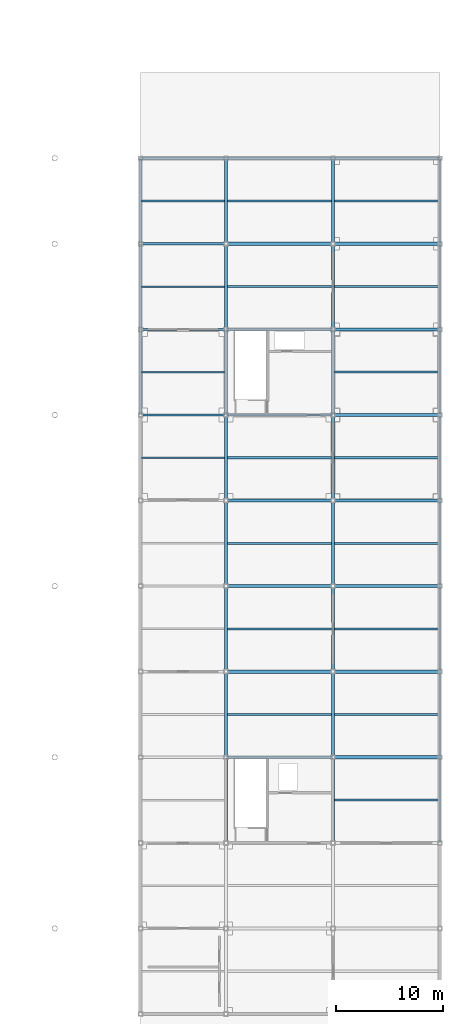
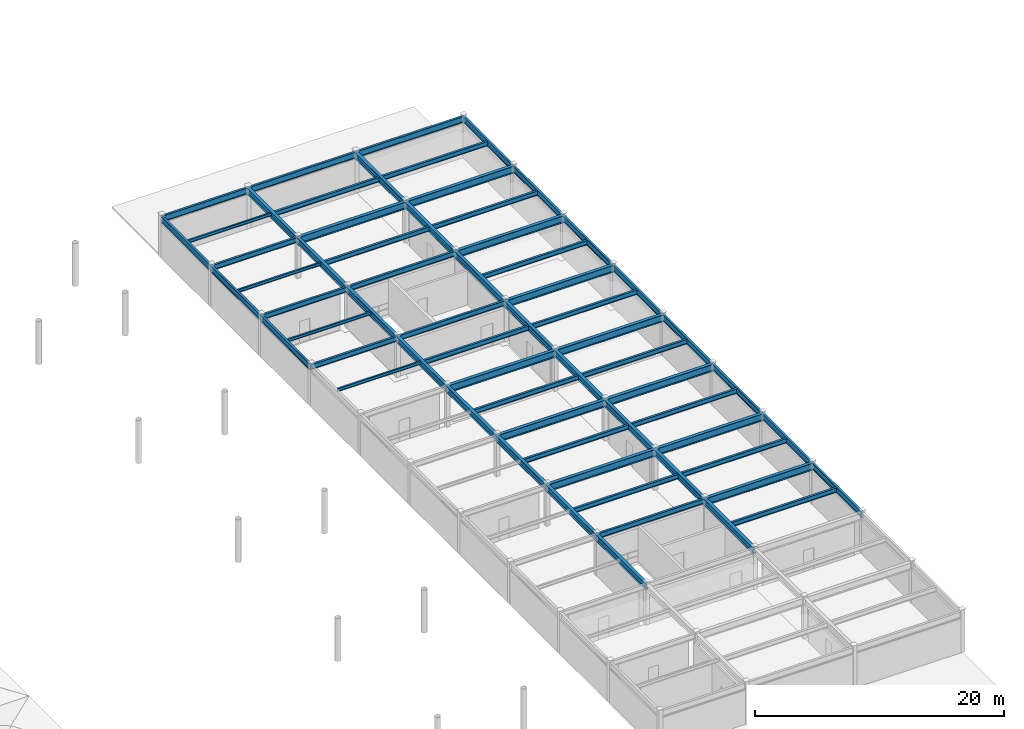
# One storey, part 35 of 78: 65 beams.
"""IFC4 building model written with IfcOpenShell, lengths in metres."""

from ifc_helpers import new_model, si_unit, direction, frame, origin, origin_2d, place, context, subcontext, project, spatial, i_section, extrude, material, material_profile, profile_set, type_object, element, save


model = new_model("IFC4")

# Units and contexts
model_context = context("Model", 3, precision=1e-05, world=origin(), true_north=direction((0.0, 1.0)))
body_context = subcontext(model_context, "Body", "Model", "MODEL_VIEW")
ifc_project = project(units=[si_unit("LENGTHUNIT", "METRE"), si_unit("AREAUNIT", "SQUARE_METRE"), si_unit("VOLUMEUNIT", "CUBIC_METRE"), si_unit("PLANEANGLEUNIT", "RADIAN"), si_unit("MASSUNIT", "GRAM", prefix="KILO")], contexts=[model_context])

# Site, building, storey
site_placement = place(None, origin())
site = spatial("IfcSite", under=ifc_project, at=site_placement, CompositionType="ELEMENT")
building_placement = place(site_placement, origin())
building = spatial("IfcBuilding", under=site, at=building_placement, Name="Haebicheon Civic Stadium", CompositionType="ELEMENT")
storey_placement = place(building_placement, frame((0.0, 0.0, 18.60009765625)))
storey = spatial("IfcBuildingStorey", under=building, at=storey_placement, Name="L05", CompositionType="ELEMENT", Elevation=18.60009765625)

# Beams
ifc_material_1 = material(Name="Steel SM355 (S355)", Category="steel")
ifc_material_profile_1 = material_profile(ifc_material_1, i_section(OverallWidth=0.199951171875, OverallDepth=0.5, WebThickness=0.010009765625, FlangeThickness=0.01611328125, at=origin_2d()), Name="H-500x200x10x16")
ifc_profile_set_1 = profile_set([ifc_material_profile_1], Name="Steel SM355 (S355)")
beam_type_1 = type_object("IfcBeamType", Name="BM-ST-H500", PredefinedType="BEAM", material=ifc_profile_set_1)
for number, where, z_axis, x_axis, name in (
    (1, (208.0, 104.0, 3.72998046875), (1.0, 0.0, 0.0), (0.0, 1.0, 0.0), "L05 beam P/27-28"),
    (2, (208.0, 112.0, 3.72998046875), (1.0, 0.0, 0.0), (0.0, 1.0, 0.0), "L05 beam Q/27-28"),
    (3, (208.0, 120.0, 3.72998046875), (1.0, 0.0, 0.0), (0.0, 1.0, 0.0), "L05 beam R/27-28"),
):
    element("IfcBeam", number, at=place(storey_placement, frame(where, z_axis=z_axis, x_axis=x_axis)), inside=storey, type_object=beam_type_1, material=ifc_profile_set_1, Name=name, PredefinedType="BEAM", context=body_context, shape_type="SweptSolid", body=[
        extrude(i_section(OverallWidth=0.199951171875, OverallDepth=0.5, WebThickness=0.010009765625, FlangeThickness=0.01611328125, at=origin_2d()), origin(), (0.0, 0.0, 1.0), 8.0),
    ])
for number, where, z_axis, x_axis, name in (
    (4, (216.0, 72.0, 3.72998046875), (1.0, 0.0, 0.0), (0.0, 1.0, 0.0), "L05 beam K/28-29"),
    (5, (216.0, 104.0, 3.72998046875), (1.0, 0.0, 0.0), (0.0, 1.0, 0.0), "L05 beam P/28-29"),
    (6, (216.0, 112.0, 3.72998046875), (1.0, 0.0, 0.0), (0.0, 1.0, 0.0), "L05 beam Q/28-29"),
):
    element("IfcBeam", number, at=place(storey_placement, frame(where, z_axis=z_axis, x_axis=x_axis)), inside=storey, type_object=beam_type_1, material=ifc_profile_set_1, Name=name, PredefinedType="BEAM", context=body_context, shape_type="SweptSolid", body=[
        extrude(i_section(OverallWidth=0.199951171875, OverallDepth=0.5, WebThickness=0.010009765625, FlangeThickness=0.01611328125, at=origin_2d()), origin(), (0.0, 0.0, 1.0), 10.0),
    ])
ifc_material_2 = material(Name="Steel SM355 (S355)", Category="steel")
ifc_material_profile_2 = material_profile(ifc_material_2, i_section(OverallWidth=0.300048828125, OverallDepth=0.60009765625, WebThickness=0.011962890625, FlangeThickness=0.02001953125, at=origin_2d()), Name="H-600x300x12x20")
ifc_profile_set_2 = profile_set([ifc_material_profile_2], Name="Steel SM355 (S355)")
beam_type_2 = type_object("IfcBeamType", Name="BM-ST-H600A", PredefinedType="BEAM", material=ifc_profile_set_2)
for number, where, z_axis, x_axis, name in (
    (7, (216.0, 64.0, 3.679931640625), (0.0, 1.0, 0.0), (-1.0, 0.0, 0.0), "L05 girder 28/J-K"),
    (8, (216.0, 72.0, 3.679931640625), (0.0, 1.0, 0.0), (-1.0, 0.0, 0.0), "L05 girder 28/K-L"),
    (9, (216.0, 80.0, 3.679931640625), (0.0, 1.0, 0.0), (-1.0, 0.0, 0.0), "L05 girder 28/L-M"),
    (10, (216.0, 88.0, 3.679931640625), (0.0, 1.0, 0.0), (-1.0, 0.0, 0.0), "L05 girder 28/M-N"),
    (11, (216.0, 96.0, 3.679931640625), (0.0, 1.0, 0.0), (-1.0, 0.0, 0.0), "L05 girder 28/N-P"),
    (12, (216.0, 104.0, 3.679931640625), (0.0, 1.0, 0.0), (-1.0, 0.0, 0.0), "L05 girder 28/P-Q"),
    (13, (216.0, 112.0, 3.679931640625), (0.0, 1.0, 0.0), (-1.0, 0.0, 0.0), "L05 girder 28/Q-R"),
    (14, (216.0, 120.0, 3.679931640625), (0.0, 1.0, 0.0), (-1.0, 0.0, 0.0), "L05 girder 28/R-S"),
    (15, (226.0, 64.0, 3.679931640625), (0.0, 1.0, 0.0), (-1.0, 0.0, 0.0), "L05 girder 29/J-K"),
    (16, (226.0, 72.0, 3.679931640625), (0.0, 1.0, 0.0), (-1.0, 0.0, 0.0), "L05 girder 29/K-L"),
    (17, (226.0, 80.0, 3.679931640625), (0.0, 1.0, 0.0), (-1.0, 0.0, 0.0), "L05 girder 29/L-M"),
    (18, (226.0, 88.0, 3.679931640625), (0.0, 1.0, 0.0), (-1.0, 0.0, 0.0), "L05 girder 29/M-N"),
    (19, (226.0, 96.0, 3.679931640625), (0.0, 1.0, 0.0), (-1.0, 0.0, 0.0), "L05 girder 29/N-P"),
    (20, (226.0, 104.0, 3.679931640625), (0.0, 1.0, 0.0), (-1.0, 0.0, 0.0), "L05 girder 29/P-Q"),
    (21, (226.0, 112.0, 3.679931640625), (0.0, 1.0, 0.0), (-1.0, 0.0, 0.0), "L05 girder 29/Q-R"),
    (22, (226.0, 120.0, 3.679931640625), (0.0, 1.0, 0.0), (-1.0, 0.0, 0.0), "L05 girder 29/R-S"),
):
    element("IfcBeam", number, at=place(storey_placement, frame(where, z_axis=z_axis, x_axis=x_axis)), inside=storey, type_object=beam_type_2, material=ifc_profile_set_2, Name=name, PredefinedType="BEAM", context=body_context, shape_type="SweptSolid", body=[
        extrude(i_section(OverallWidth=0.300048828125, OverallDepth=0.60009765625, WebThickness=0.011962890625, FlangeThickness=0.02001953125, at=origin_2d()), origin(), (0.0, 0.0, 1.0), 8.0),
    ])
ifc_material_3 = material(Name="Steel SM490", Category="steel")
ifc_material_profile_3 = material_profile(ifc_material_3, i_section(OverallWidth=0.300048828125, OverallDepth=0.699951171875, WebThickness=0.012939453125, FlangeThickness=0.02392578125, at=origin_2d()), Name="H-700x300x13x24")
ifc_profile_set_3 = profile_set([ifc_material_profile_3], Name="Steel SM490")
beam_type_3 = type_object("IfcBeamType", Name="BM-ST-H700", PredefinedType="BEAM", material=ifc_profile_set_3)
for number, where, z_axis, x_axis, name in (
    (23, (216.0, 80.0, 3.6298828125), (1.0, 0.0, 0.0), (0.0, 1.0, 0.0), "L05 beam L/28-29"),
    (24, (216.0, 88.0, 3.6298828125), (1.0, 0.0, 0.0), (0.0, 1.0, 0.0), "L05 beam M/28-29"),
    (25, (216.0, 96.0, 3.6298828125), (1.0, 0.0, 0.0), (0.0, 1.0, 0.0), "L05 beam N/28-29"),
    (26, (216.0, 120.0, 3.6298828125), (1.0, 0.0, 0.0), (0.0, 1.0, 0.0), "L05 beam R/28-29"),
    (27, (226.0, 72.0, 3.6298828125), (1.0, 0.0, 0.0), (0.0, 1.0, 0.0), "L05 beam K/29-30"),
    (28, (226.0, 80.0, 3.6298828125), (1.0, 0.0, 0.0), (0.0, 1.0, 0.0), "L05 beam L/29-30"),
    (29, (226.0, 88.0, 3.6298828125), (1.0, 0.0, 0.0), (0.0, 1.0, 0.0), "L05 beam M/29-30"),
    (30, (226.0, 96.0, 3.6298828125), (1.0, 0.0, 0.0), (0.0, 1.0, 0.0), "L05 beam N/29-30"),
    (31, (226.0, 104.0, 3.6298828125), (1.0, 0.0, 0.0), (0.0, 1.0, 0.0), "L05 beam P/29-30"),
    (32, (226.0, 112.0, 3.6298828125), (1.0, 0.0, 0.0), (0.0, 1.0, 0.0), "L05 beam Q/29-30"),
    (33, (226.0, 120.0, 3.6298828125), (1.0, 0.0, 0.0), (0.0, 1.0, 0.0), "L05 beam R/29-30"),
):
    element("IfcBeam", number, at=place(storey_placement, frame(where, z_axis=z_axis, x_axis=x_axis)), inside=storey, type_object=beam_type_3, material=ifc_profile_set_3, Name=name, PredefinedType="BEAM", context=body_context, shape_type="SweptSolid", body=[
        extrude(i_section(OverallWidth=0.300048828125, OverallDepth=0.699951171875, WebThickness=0.012939453125, FlangeThickness=0.02392578125, at=origin_2d()), origin(), (0.0, 0.0, 1.0), 10.0),
    ])
ifc_material_4 = material(Name="Steel SM355 (S355)", Category="steel")
ifc_material_profile_4 = material_profile(ifc_material_4, i_section(OverallWidth=0.14990234375, OverallDepth=0.300048828125, WebThickness=0.006591796875, FlangeThickness=0.009033203125, at=origin_2d()), Name="H-300x150x6.5x9")
ifc_profile_set_4 = profile_set([ifc_material_profile_4], Name="Steel SM355 (S355)")
beam_type_4 = type_object("IfcBeamType", Name="JST-ST-H300", PredefinedType="JOIST", material=ifc_profile_set_4)
for number, where, z_axis, x_axis, name in (
    (34, (208.10009765625, 100.0, 3.829833984375), (1.0, 0.0, 0.0), (0.0, 1.0, 0.0), "L05 secondary joist 26-12"),
    (35, (208.10009765625, 108.0, 3.829833984375), (1.0, 0.0, 0.0), (0.0, 1.0, 0.0), "L05 secondary joist 26-13"),
    (36, (208.10009765625, 116.0, 3.829833984375), (1.0, 0.0, 0.0), (0.0, 1.0, 0.0), "L05 secondary joist 26-14"),
    (37, (208.10009765625, 124.0, 3.829833984375), (1.0, 0.0, 0.0), (0.0, 1.0, 0.0), "L05 secondary joist 26-15"),
):
    element("IfcBeam", number, at=place(storey_placement, frame(where, z_axis=z_axis, x_axis=x_axis)), inside=storey, type_object=beam_type_4, material=ifc_profile_set_4, Name=name, PredefinedType="JOIST", context=body_context, shape_type="SweptSolid", body=[
        extrude(i_section(OverallWidth=0.14990234375, OverallDepth=0.300048828125, WebThickness=0.006591796875, FlangeThickness=0.009033203125, at=origin_2d()), origin(), (0.0, 0.0, 1.0), 7.75),
    ])
ifc_material_5 = material(Name="Steel SM355 (S355)", Category="steel")
ifc_material_profile_5 = material_profile(ifc_material_5, i_section(OverallWidth=0.199951171875, OverallDepth=0.449951171875, WebThickness=0.009033203125, FlangeThickness=0.013916015625, at=origin_2d()), Name="H-450x200x9x14")
ifc_profile_set_5 = profile_set([ifc_material_profile_5], Name="Steel SM355 (S355)")
beam_type_5 = type_object("IfcBeamType", Name="JST-ST-H450", PredefinedType="JOIST", material=ifc_profile_set_5)
for number, where, z_axis, x_axis, name in (
    (38, (216.14990234375, 76.0, 3.7548828125), (1.0, 0.0, 0.0), (0.0, 1.0, 0.0), "L05 secondary joist 27-09"),
    (39, (216.14990234375, 84.0, 3.7548828125), (1.0, 0.0, 0.0), (0.0, 1.0, 0.0), "L05 secondary joist 27-10"),
    (40, (216.14990234375, 92.0, 3.7548828125), (1.0, 0.0, 0.0), (0.0, 1.0, 0.0), "L05 secondary joist 27-11"),
    (41, (216.14990234375, 100.0, 3.7548828125), (1.0, 0.0, 0.0), (0.0, 1.0, 0.0), "L05 secondary joist 27-12"),
    (42, (216.14990234375, 116.0, 3.7548828125), (1.0, 0.0, 0.0), (0.0, 1.0, 0.0), "L05 secondary joist 27-14"),
    (43, (216.14990234375, 124.0, 3.7548828125), (1.0, 0.0, 0.0), (0.0, 1.0, 0.0), "L05 secondary joist 27-15"),
):
    element("IfcBeam", number, at=place(storey_placement, frame(where, z_axis=z_axis, x_axis=x_axis)), inside=storey, type_object=beam_type_5, material=ifc_profile_set_5, Name=name, PredefinedType="JOIST", context=body_context, shape_type="SweptSolid", body=[
        extrude(i_section(OverallWidth=0.199951171875, OverallDepth=0.449951171875, WebThickness=0.009033203125, FlangeThickness=0.013916015625, at=origin_2d()), origin(), (0.0, 0.0, 1.0), 9.7001953125),
    ])
for number, where, z_axis, x_axis, name in (
    (44, (226.14990234375, 68.0, 3.7548828125), (1.0, 0.0, 0.0), (0.0, 1.0, 0.0), "L05 secondary joist 28-08"),
    (45, (226.14990234375, 76.0, 3.7548828125), (1.0, 0.0, 0.0), (0.0, 1.0, 0.0), "L05 secondary joist 28-09"),
    (46, (226.14990234375, 84.0, 3.7548828125), (1.0, 0.0, 0.0), (0.0, 1.0, 0.0), "L05 secondary joist 28-10"),
    (47, (226.14990234375, 92.0, 3.7548828125), (1.0, 0.0, 0.0), (0.0, 1.0, 0.0), "L05 secondary joist 28-11"),
    (48, (226.14990234375, 100.0, 3.7548828125), (1.0, 0.0, 0.0), (0.0, 1.0, 0.0), "L05 secondary joist 28-12"),
    (49, (226.14990234375, 108.0, 3.7548828125), (1.0, 0.0, 0.0), (0.0, 1.0, 0.0), "L05 secondary joist 28-13"),
    (50, (226.14990234375, 116.0, 3.7548828125), (1.0, 0.0, 0.0), (0.0, 1.0, 0.0), "L05 secondary joist 28-14"),
    (51, (226.14990234375, 124.0, 3.7548828125), (1.0, 0.0, 0.0), (0.0, 1.0, 0.0), "L05 secondary joist 28-15"),
):
    element("IfcBeam", number, at=place(storey_placement, frame(where, z_axis=z_axis, x_axis=x_axis)), inside=storey, type_object=beam_type_5, material=ifc_profile_set_5, Name=name, PredefinedType="JOIST", context=body_context, shape_type="SweptSolid", body=[
        extrude(i_section(OverallWidth=0.199951171875, OverallDepth=0.449951171875, WebThickness=0.009033203125, FlangeThickness=0.013916015625, at=origin_2d()), origin(), (0.0, 0.0, 1.0), 9.75),
    ])
ifc_material_6 = material(Name="Steel SM355 (S355)", Category="steel")
ifc_material_profile_6 = material_profile(ifc_material_6, i_section(OverallWidth=0.199951171875, OverallDepth=0.60009765625, WebThickness=0.010986328125, FlangeThickness=0.01708984375, at=origin_2d()), Name="H-600x200x11x17")
ifc_profile_set_6 = profile_set([ifc_material_profile_6], Name="Steel SM355 (S355)")
beam_type_6 = type_object("IfcBeamType", Name="SPD-ST-H600B", PredefinedType="SPANDREL", material=ifc_profile_set_6)
for number, where, z_axis, x_axis, name in (
    (52, (208.0, 104.0, 3.679931640625), (0.0, 1.0, 0.0), (-1.0, 0.0, 0.0), "L05 girder 27/P-Q"),
    (53, (208.0, 112.0, 3.679931640625), (0.0, 1.0, 0.0), (-1.0, 0.0, 0.0), "L05 girder 27/Q-R"),
    (54, (208.0, 120.0, 3.679931640625), (0.0, 1.0, 0.0), (-1.0, 0.0, 0.0), "L05 girder 27/R-S"),
    (55, (236.0, 64.0, 3.679931640625), (0.0, 1.0, 0.0), (-1.0, 0.0, 0.0), "L05 girder 30/J-K"),
    (56, (236.0, 72.0, 3.679931640625), (0.0, 1.0, 0.0), (-1.0, 0.0, 0.0), "L05 girder 30/K-L"),
    (57, (236.0, 80.0, 3.679931640625), (0.0, 1.0, 0.0), (-1.0, 0.0, 0.0), "L05 girder 30/L-M"),
    (58, (236.0, 88.0, 3.679931640625), (0.0, 1.0, 0.0), (-1.0, 0.0, 0.0), "L05 girder 30/M-N"),
    (59, (236.0, 96.0, 3.679931640625), (0.0, 1.0, 0.0), (-1.0, 0.0, 0.0), "L05 girder 30/N-P"),
    (60, (236.0, 104.0, 3.679931640625), (0.0, 1.0, 0.0), (-1.0, 0.0, 0.0), "L05 girder 30/P-Q"),
    (61, (236.0, 112.0, 3.679931640625), (0.0, 1.0, 0.0), (-1.0, 0.0, 0.0), "L05 girder 30/Q-R"),
    (62, (236.0, 120.0, 3.679931640625), (0.0, 1.0, 0.0), (-1.0, 0.0, 0.0), "L05 girder 30/R-S"),
    (63, (208.0, 128.0, 3.679931640625), (1.0, 0.0, 0.0), (0.0, 1.0, 0.0), "L05 beam S/27-28"),
):
    element("IfcBeam", number, at=place(storey_placement, frame(where, z_axis=z_axis, x_axis=x_axis)), inside=storey, type_object=beam_type_6, material=ifc_profile_set_6, Name=name, PredefinedType="SPANDREL", context=body_context, shape_type="SweptSolid", body=[
        extrude(i_section(OverallWidth=0.199951171875, OverallDepth=0.60009765625, WebThickness=0.010986328125, FlangeThickness=0.01708984375, at=origin_2d()), origin(), (0.0, 0.0, 1.0), 8.0),
    ])
for number, where, z_axis, x_axis, name in (
    (64, (216.0, 128.0, 3.679931640625), (1.0, 0.0, 0.0), (0.0, 1.0, 0.0), "L05 beam S/28-29"),
    (65, (226.0, 128.0, 3.679931640625), (1.0, 0.0, 0.0), (0.0, 1.0, 0.0), "L05 beam S/29-30"),
):
    element("IfcBeam", number, at=place(storey_placement, frame(where, z_axis=z_axis, x_axis=x_axis)), inside=storey, type_object=beam_type_6, material=ifc_profile_set_6, Name=name, PredefinedType="SPANDREL", context=body_context, shape_type="SweptSolid", body=[
        extrude(i_section(OverallWidth=0.199951171875, OverallDepth=0.60009765625, WebThickness=0.010986328125, FlangeThickness=0.01708984375, at=origin_2d()), origin(), (0.0, 0.0, 1.0), 10.0),
    ])

save(model, "model.ifc")
